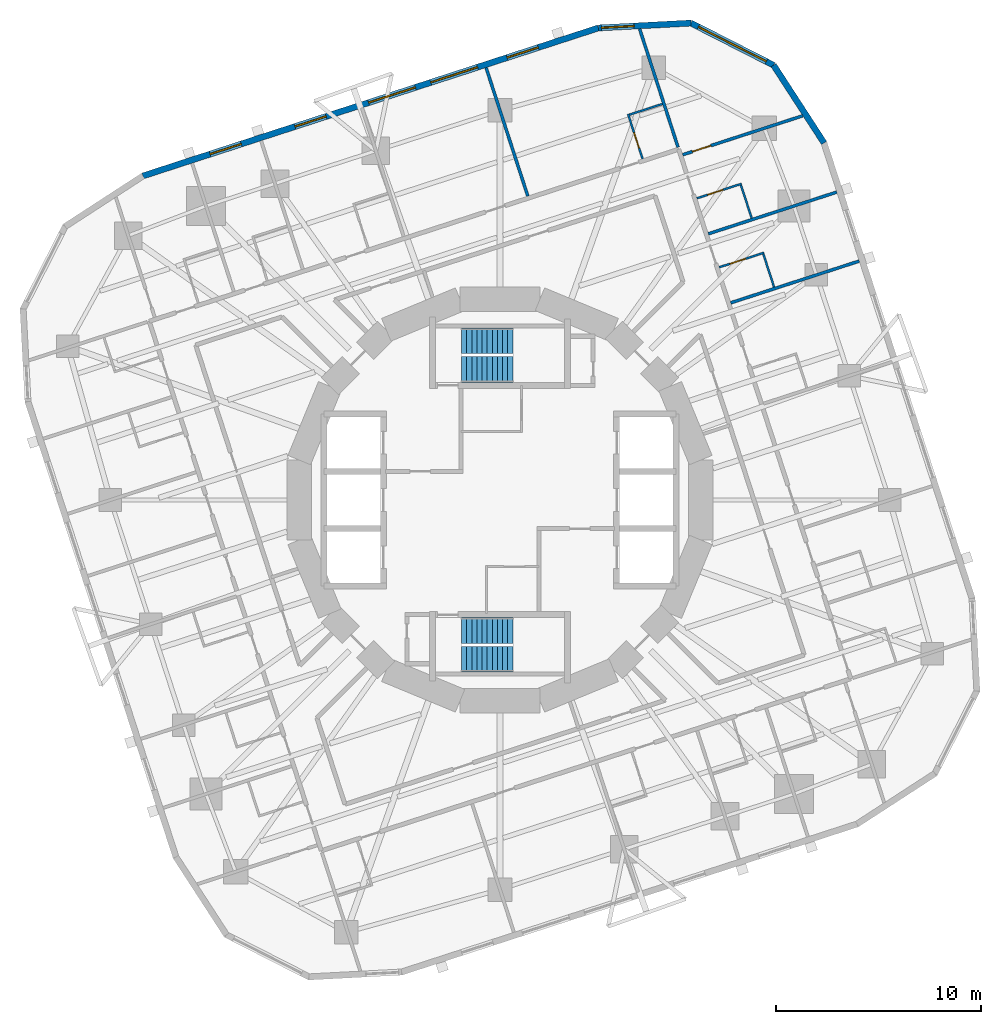
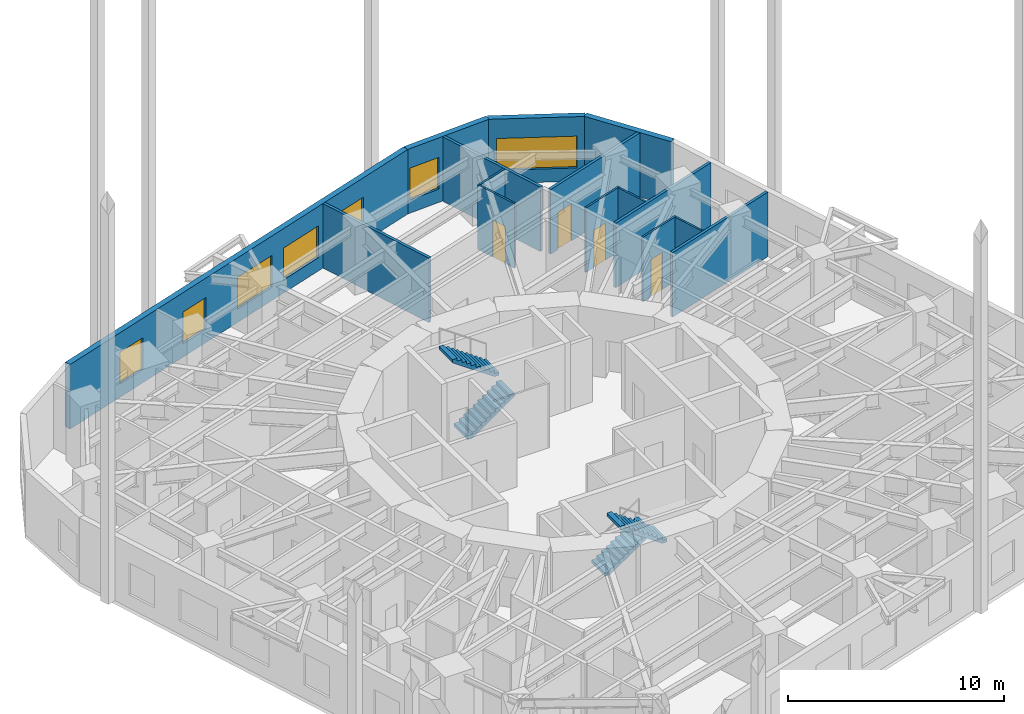
# One storey, part 9 of 10: 15 walls, 7 windows, 4 doors, 4 stair flights, 11 openings, 2 elements without a shape of their own.
"""IFC4 building model written with IfcOpenShell, lengths in metres."""

import ifcopenshell
import ifcopenshell.guid

model = None  # the IFC model being written
_history = None  # IfcOwnerHistory: only IFC2X3 demands one
_inside = {}  # id of a spatial element -> (the spatial element, [elements in it])
_under = {}  # id of a project, library or spatial element -> (it, [spatial elements below it])
_declared = {}  # id of a project -> (the project, [libraries it declares])
_typed = {}  # id of a type object -> (the type object, [elements of that type])
_made_of = {}  # id of a material, layer set ... -> (it, [elements and type objects made of it])


def new_model(schema):
    """Start an empty IFC model of exactly this schema.

    Asked for "IFC4X3", IfcOpenShell would pick the latest addendum, in which some entities
    have other attributes; the version numbers below select the first issue.
    IFC2X3 requires an IfcOwnerHistory on every rooted entity: one is made here for all.
    """
    global model, _history
    if schema == "IFC4X3":
        model = ifcopenshell.file(schema_version=(4, 3, 0, 0))
    else:
        model = ifcopenshell.file(schema=schema)
    _inside.clear()
    _under.clear()
    _declared.clear()
    _typed.clear()
    _made_of.clear()
    _history = None
    if model.schema == "IFC2X3":
        org = make("IfcOrganization", Name="unknown")
        user = make(
            "IfcPersonAndOrganization",
            ThePerson=make("IfcPerson", FamilyName="unknown"),
            TheOrganization=org,
        )
        app = make(
            "IfcApplication",
            ApplicationDeveloper=org,
            Version="unknown",
            ApplicationFullName="unknown",
            ApplicationIdentifier="unknown",
        )
        _history = make(
            "IfcOwnerHistory",
            OwningUser=user,
            OwningApplication=app,
            ChangeAction="ADDED",
            CreationDate=0,
        )
    return model


def make(cls, **values):
    """One entity of the class cls with the attributes given. An attribute that is None is left unset."""
    return model.create_entity(
        cls, **{name: value for name, value in values.items() if value is not None}
    )


def rooted(cls, **values):
    """An entity with a GlobalId (a new one), such as an element, a storey or a relation."""
    return make(cls, GlobalId=ifcopenshell.guid.new(), OwnerHistory=_history, **values)


def si_unit(unit_type, name, prefix=None):
    """IfcSIUnit, for example si_unit("LENGTHUNIT", "METRE", prefix="MILLI")."""
    return make("IfcSIUnit", UnitType=unit_type, Prefix=prefix, Name=name)


def assignment(units):
    """IfcUnitAssignment: the units of a project."""
    return None if units is None else make("IfcUnitAssignment", Units=units)


def point(xyz):
    """IfcCartesianPoint."""
    return None if xyz is None else make("IfcCartesianPoint", Coordinates=xyz)


def direction(xyz):
    """IfcDirection."""
    return None if xyz is None else make("IfcDirection", DirectionRatios=xyz)


def frame(location, z_axis=None, x_axis=None):
    """IfcAxis2Placement3D, a coordinate frame: its origin and axes. An axis left out is left unset."""
    return make(
        "IfcAxis2Placement3D",
        Location=point(location),
        Axis=direction(z_axis),
        RefDirection=direction(x_axis),
    )


def frame_2d(location, x_axis=None):
    """IfcAxis2Placement2D, a coordinate frame in the plane: its origin and x axis."""
    return make(
        "IfcAxis2Placement2D", Location=point(location), RefDirection=direction(x_axis)
    )


def origin():
    """The frame at (0, 0, 0) with its axes left unset."""
    return frame((0.0, 0.0, 0.0))


def place(relative_to, where):
    """IfcLocalPlacement: puts the frame where relative to a parent placement (None: the world)."""
    return make(
        "IfcLocalPlacement", PlacementRelTo=relative_to, RelativePlacement=where
    )


def context(
    kind, dimensions, precision=None, world=None, true_north=None, identifier=None
):
    """IfcGeometricRepresentationContext, for example the 3D "Model" context."""
    return make(
        "IfcGeometricRepresentationContext",
        ContextIdentifier=identifier,
        ContextType=kind,
        CoordinateSpaceDimension=dimensions,
        Precision=precision,
        WorldCoordinateSystem=world,
        TrueNorth=true_north,
    )


def subcontext(parent, identifier, kind, view, scale=None):
    """IfcGeometricRepresentationSubContext, for example "Body" below "Model"."""
    return make(
        "IfcGeometricRepresentationSubContext",
        ContextIdentifier=identifier,
        ContextType=kind,
        ParentContext=parent,
        TargetScale=scale,
        TargetView=view,
    )


def project(units=None, contexts=None):
    """IfcProject with its units and contexts."""
    return rooted(
        "IfcProject",
        Name="project",
        RepresentationContexts=contexts,
        UnitsInContext=assignment(units),
    )


def spatial(cls, under=None, at=None, **own):
    """A site, building, storey or space (cls), placed at a placement, below another one or the project."""
    s = rooted(cls, ObjectPlacement=at, **own)
    if under is not None:
        _under.setdefault(under.id(), (under, []))[1].append(s)
    return s


def polyline(points):
    """IfcPolyline through the points."""
    return make("IfcPolyline", Points=[point(p) for p in points])


def profile(cls, at=None, kind="AREA", **sizes):
    """A parametric profile (cls). Its sizes go by their IFC names, for example OverallWidth=200.0."""
    return make(cls, ProfileType=kind, Position=at, **sizes)


def rectangle(**sizes):
    """IfcRectangleProfileDef."""
    return profile("IfcRectangleProfileDef", **sizes)


def outline(outer, holes=None, kind="AREA"):
    """IfcArbitraryClosedProfileDef: a profile drawn as a closed curve; with holes, ...WithVoids."""
    if holes is None:
        return make("IfcArbitraryClosedProfileDef", ProfileType=kind, OuterCurve=outer)
    return make(
        "IfcArbitraryProfileDefWithVoids",
        ProfileType=kind,
        OuterCurve=outer,
        InnerCurves=holes,
    )


def extrude(swept, where, along, depth):
    """IfcExtrudedAreaSolid: the profile swept, set in the frame where, extruded along a direction by depth."""
    return make(
        "IfcExtrudedAreaSolid",
        SweptArea=swept,
        Position=where,
        ExtrudedDirection=direction(along),
        Depth=depth,
    )


def shape(context_of_items, identifier, shape_type, items):
    """IfcShapeRepresentation: the items that make up one representation, for example the "Body"."""
    return make(
        "IfcShapeRepresentation",
        ContextOfItems=context_of_items,
        RepresentationIdentifier=identifier,
        RepresentationType=shape_type,
        Items=items,
    )


def material(Name=None, Category=None):
    """IfcMaterial."""
    return make("IfcMaterial", Name=Name, Category=Category)


def layer(
    of_material, thickness, ventilated=None, Name=None, Category=None, Priority=None
):
    """IfcMaterialLayer: one layer of a wall or slab, of a material (None: an air gap)."""
    return make(
        "IfcMaterialLayer",
        Material=of_material,
        LayerThickness=thickness,
        IsVentilated=ventilated,
        Name=Name,
        Category=Category,
        Priority=Priority,
    )


def layer_set(layers, Name=None):
    """IfcMaterialLayerSet."""
    return make("IfcMaterialLayerSet", MaterialLayers=layers, LayerSetName=Name)


def made_of(thing, what):
    """Note that an element or type object is made of a material, layer set ...; save() writes the relation."""
    if what is not None:
        _made_of.setdefault(what.id(), (what, []))[1].append(thing)
    return thing


def type_object(cls, material=None, **own):
    """A type object (cls), such as IfcWallType, which elements share."""
    return made_of(rooted(cls, **own), material)


def element(
    cls,
    number,
    at=None,
    inside=None,
    cuts=None,
    type_object=None,
    material=None,
    context=None,
    identifier="Body",
    shape_type=None,
    held_by="IfcProductDefinitionShape",
    body=None,
    shapes=None,
    **own,
):
    """One element of the class cls, such as IfcWall. Its Tag is "e" and its number.

    at: its placement. inside: the storey or other place that contains it. cuts: it is an
    opening in that element (IfcRelVoidsElement). A single representation is given by context,
    identifier, shape_type and body (its items); several are given by shapes. held_by: the class
    of the entity that holds the representations. save() writes the other relations.
    """
    e = rooted(cls, Tag="e%d" % number, ObjectPlacement=at, **own)
    if body is not None:
        shapes = [shape(context, identifier, shape_type, body)]
    if shapes is not None:
        e.Representation = make(held_by, Representations=shapes)
    if inside is not None:
        _inside.setdefault(inside.id(), (inside, []))[1].append(e)
    if cuts is not None:
        rooted(
            "IfcRelVoidsElement", RelatingBuildingElement=cuts, RelatedOpeningElement=e
        )
    if type_object is not None:
        _typed.setdefault(type_object.id(), (type_object, []))[1].append(e)
    return made_of(e, material)


def fill(opening, filler):
    """IfcRelFillsElement: the door or window that sits in an opening."""
    return rooted(
        "IfcRelFillsElement",
        RelatingOpeningElement=opening,
        RelatedBuildingElement=filler,
    )


def aggregate(whole, parts):
    """IfcRelAggregates: a whole, such as a stair, and the parts it consists of."""
    return rooted("IfcRelAggregates", RelatingObject=whole, RelatedObjects=parts)


def save(model, path):
    """Write the relations noted so far, then the file.

    IfcRelAggregates (storeys below a building ...), IfcRelContainedInSpatialStructure (elements
    in a storey), IfcRelDefinesByType, IfcRelAssociatesMaterial and IfcRelDeclares: one each for
    every whole, place, type object, material and project.
    """
    for whole, parts in _under.values():
        aggregate(whole, parts)
    for where, things in _inside.values():
        rooted(
            "IfcRelContainedInSpatialStructure",
            RelatedElements=things,
            RelatingStructure=where,
        )
    for kind, things in _typed.values():
        rooted("IfcRelDefinesByType", RelatedObjects=things, RelatingType=kind)
    for what, things in _made_of.values():
        rooted("IfcRelAssociatesMaterial", RelatedObjects=things, RelatingMaterial=what)
    for by, libraries in _declared.values():
        rooted("IfcRelDeclares", RelatingContext=by, RelatedDefinitions=libraries)
    model.write(path)


model = new_model("IFC4")

# Units and contexts
model_context = context("Model", 3, precision=1e-05, world=origin(), true_north=direction((0.0, 1.0)))
body_context = subcontext(model_context, "Body", "Model", "MODEL_VIEW")
ifc_project = project(units=[si_unit("LENGTHUNIT", "METRE"), si_unit("AREAUNIT", "SQUARE_METRE"), si_unit("VOLUMEUNIT", "CUBIC_METRE"), si_unit("PLANEANGLEUNIT", "RADIAN"), si_unit("MASSUNIT", "GRAM", prefix="KILO")], contexts=[model_context])

# Site, building, storey
site_placement = place(None, origin())
site = spatial("IfcSite", under=ifc_project, at=site_placement, CompositionType="ELEMENT")
building_placement = place(site_placement, origin())
building = spatial("IfcBuilding", under=site, at=building_placement, Name="Nakasero Lantern House", CompositionType="ELEMENT")
storey_placement = place(building_placement, frame((0.0, 0.0, 141.800048828125)))
storey = spatial("IfcBuildingStorey", under=building, at=storey_placement, Name="L34", CompositionType="ELEMENT", Elevation=141.800048828125)

# Wall, opening, door
ifc_material_1 = material(Name="Blockwork", Category="masonry")
ifc_layer_1 = layer(ifc_material_1, 0.10009765625)
ifc_layer_set_1 = layer_set([ifc_layer_1], Name="En-suite wall 100")
wall_type_1 = type_object("IfcWallType", Name="En-suite wall 100", PredefinedType="PARTITIONING", material=ifc_layer_set_1)
wall_1_placement = place(storey_placement, frame((10.7109375, 11.369384765625, 0.0), z_axis=(0.0, 0.0, 1.0), x_axis=(0.951055129775, 0.309021261611, 0.0)))
wall_1 = element("IfcWall", 1, at=wall_1_placement, inside=storey, type_object=wall_type_1, Name="En-suite wall L34 ES0-05", PredefinedType="PARTITIONING", context=body_context, shape_type="SweptSolid", body=[
    extrude(rectangle(XDim=2.2998046875, YDim=0.10009765625, at=frame_2d((1.14990234375, 0.0))), origin(), (0.0, 0.0, 1.0), 3.64990234375),
])
opening_1_placement = place(wall_1_placement, frame((0.550048828125, 0.0, 0.0)))
opening_1 = element("IfcOpeningElement", 2, at=opening_1_placement, cuts=wall_1, Name="Opening D02", PredefinedType="OPENING", context=body_context, shape_type="SweptSolid", body=[
    extrude(rectangle(XDim=0.800048828125, YDim=2.10009765625, at=frame_2d((0.39990234375, 1.050048828125))), frame((0.0, 0.070068359375, 0.0), z_axis=(0.0, -1.0, 0.0), x_axis=(1.0, 0.0, 0.0)), (0.0, 0.0, 1.0), 0.14013671875),
])
ifc_material_2 = material(Name="Timber C24", Category="wood")
door_type_1 = type_object("IfcDoorType", Name="En-suite door 800", OperationType="SINGLE_SWING_RIGHT", PredefinedType="DOOR", material=ifc_material_2)
door_1_placement = place(opening_1_placement, origin())
door_1 = element("IfcDoor", 3, at=door_1_placement, inside=storey, type_object=door_type_1, Name="Door L34 DE0-05", OperationType="SINGLE_SWING_LEFT", OverallHeight=2.10009765625, OverallWidth=0.800048828125, PredefinedType="DOOR", context=body_context, shape_type="SweptSolid", body=[
    extrude(rectangle(XDim=0.800048828125, YDim=2.10009765625, at=frame_2d((0.39990234375, 1.050048828125))), frame((0.0, 0.02490234375, 0.0), z_axis=(0.0, -1.0, 0.0), x_axis=(1.0, 0.0, 0.0)), (0.0, 0.0, 1.0), 0.050048828125),
])
fill(opening_1, door_1)

# Wall
wall_2_placement = place(storey_placement, frame((13.3916015625, 10.400390625, 0.0), z_axis=(0.0, 0.0, 1.0), x_axis=(-0.309066587596, 0.951040401051, 0.0)))
element("IfcWall", 4, at=wall_2_placement, inside=storey, type_object=wall_type_1, Name="En-suite wall L34 EE0-05", PredefinedType="PARTITIONING", context=body_context, shape_type="SweptSolid", body=[
    extrude(rectangle(XDim=1.699951171875, YDim=0.10009765625, at=frame_2d((0.85009765625, 0.0))), origin(), (0.0, 0.0, 1.0), 3.64990234375),
])

# Wall, opening, door
wall_3_placement = place(storey_placement, frame((9.61572265625, 14.740234375, 0.0), z_axis=(0.0, 0.0, 1.0), x_axis=(0.951055129775, 0.309021261611, 0.0)))
wall_3 = element("IfcWall", 5, at=wall_3_placement, inside=storey, type_object=wall_type_1, Name="En-suite wall L34 ES0-06", PredefinedType="PARTITIONING", context=body_context, shape_type="SweptSolid", body=[
    extrude(rectangle(XDim=2.2998046875, YDim=0.10009765625, at=frame_2d((1.14990234375, 0.0))), origin(), (0.0, 0.0, 1.0), 3.64990234375),
])
opening_2_placement = place(wall_3_placement, frame((0.550048828125, 0.0, 0.0)))
opening_2 = element("IfcOpeningElement", 6, at=opening_2_placement, cuts=wall_3, Name="Opening D02", PredefinedType="OPENING", context=body_context, shape_type="SweptSolid", body=[
    extrude(rectangle(XDim=0.800048828125, YDim=2.10009765625, at=frame_2d((0.39990234375, 1.050048828125))), frame((0.0, 0.070068359375, 0.0), z_axis=(0.0, -1.0, 0.0), x_axis=(1.0, 0.0, 0.0)), (0.0, 0.0, 1.0), 0.14013671875),
])
door_2_placement = place(opening_2_placement, origin())
door_2 = element("IfcDoor", 7, at=door_2_placement, inside=storey, type_object=door_type_1, Name="Door L34 DE0-06", OperationType="SINGLE_SWING_LEFT", OverallHeight=2.10009765625, OverallWidth=0.800048828125, PredefinedType="DOOR", context=body_context, shape_type="SweptSolid", body=[
    extrude(rectangle(XDim=0.800048828125, YDim=2.10009765625, at=frame_2d((0.39990234375, 1.050048828125))), frame((0.0, 0.02490234375, 0.0), z_axis=(0.0, -1.0, 0.0), x_axis=(1.0, 0.0, 0.0)), (0.0, 0.0, 1.0), 0.050048828125),
])
fill(opening_2, door_2)

# Wall
wall_4_placement = place(storey_placement, frame((12.29638671875, 13.771240234375, 0.0), z_axis=(0.0, 0.0, 1.0), x_axis=(-0.309066587596, 0.951040401051, 0.0)))
element("IfcWall", 8, at=wall_4_placement, inside=storey, type_object=wall_type_1, Name="En-suite wall L34 EE0-06", PredefinedType="PARTITIONING", context=body_context, shape_type="SweptSolid", body=[
    extrude(rectangle(XDim=1.699951171875, YDim=0.10009765625, at=frame_2d((0.85009765625, 0.0))), origin(), (0.0, 0.0, 1.0), 3.64990234375),
])

# Wall, opening, door
wall_5_placement = place(storey_placement, frame((6.965087890625, 16.668212890625, 0.0), z_axis=(0.0, 0.0, 1.0), x_axis=(-0.309021261611, 0.951055129775, 0.0)))
wall_5 = element("IfcWall", 9, at=wall_5_placement, inside=storey, type_object=wall_type_1, Name="En-suite wall L34 ES1-00", PredefinedType="PARTITIONING", context=body_context, shape_type="SweptSolid", body=[
    extrude(rectangle(XDim=2.2998046875, YDim=0.10009765625, at=frame_2d((1.14990234375, 0.0))), origin(), (0.0, 0.0, 1.0), 3.64990234375),
])
opening_3_placement = place(wall_5_placement, frame((0.550048828125, 0.0, 0.0)))
opening_3 = element("IfcOpeningElement", 10, at=opening_3_placement, cuts=wall_5, Name="Opening D02", PredefinedType="OPENING", context=body_context, shape_type="SweptSolid", body=[
    extrude(rectangle(XDim=0.800048828125, YDim=2.10009765625, at=frame_2d((0.39990234375, 1.050048828125))), frame((0.0, 0.070068359375, 0.0), z_axis=(0.0, -1.0, 0.0), x_axis=(1.0, 0.0, 0.0)), (0.0, 0.0, 1.0), 0.14013671875),
])
door_3_placement = place(opening_3_placement, origin())
door_3 = element("IfcDoor", 11, at=door_3_placement, inside=storey, type_object=door_type_1, Name="Door L34 DE1-00", OperationType="SINGLE_SWING_LEFT", OverallHeight=2.10009765625, OverallWidth=0.800048828125, PredefinedType="DOOR", context=body_context, shape_type="SweptSolid", body=[
    extrude(rectangle(XDim=0.800048828125, YDim=2.10009765625, at=frame_2d((0.39990234375, 1.050048828125))), frame((0.0, 0.02490234375, 0.0), z_axis=(0.0, -1.0, 0.0), x_axis=(1.0, 0.0, 0.0)), (0.0, 0.0, 1.0), 0.050048828125),
])
fill(opening_3, door_3)

# Walls
wall_6_placement = place(storey_placement, frame((7.934326171875, 19.348876953125, 0.0), z_axis=(0.0, 0.0, 1.0), x_axis=(-0.951054116971, -0.309024378638, 0.0)))
element("IfcWall", 12, at=wall_6_placement, inside=storey, type_object=wall_type_1, Name="En-suite wall L34 EE1-00", PredefinedType="PARTITIONING", context=body_context, shape_type="SweptSolid", body=[
    extrude(rectangle(XDim=1.7001953125, YDim=0.10009765625, at=frame_2d((0.85009765625, 0.0))), origin(), (0.0, 0.0, 1.0), 3.64990234375),
])
ifc_material_3 = material(Name="Aluminium rainscreen on blockwork", Category="masonry")
ifc_layer_2 = layer(ifc_material_3, 0.300048828125)
ifc_layer_set_2 = layer_set([ifc_layer_2], Name="Facade wall 300")
wall_type_2 = type_object("IfcWallType", Name="Facade wall 300", PredefinedType="SOLIDWALL", material=ifc_layer_set_2)
wall_7_placement = place(storey_placement, frame((15.83349609375, 17.44677734375, 0.0), z_axis=(0.0, 0.0, 1.0), x_axis=(-0.544634002266, 0.838673836229, 0.0)))
element("IfcWall", 13, at=wall_7_placement, inside=storey, type_object=wall_type_2, Name="Facade wall L34 FW0C1", PredefinedType="SOLIDWALL", context=body_context, shape_type="SweptSolid", body=[
    extrude(rectangle(XDim=4.529296875, YDim=0.300048828125, at=frame_2d((2.2646484375, 0.0))), origin(), (0.0, 0.0, 1.0), 3.64990234375),
])

# Wall, opening, window
wall_8_placement = place(storey_placement, frame((13.36669921875, 21.245361328125, 0.0), z_axis=(0.0, 0.0, 1.0), x_axis=(-0.890994655705, 0.454013792196, 0.0)))
wall_8 = element("IfcWall", 14, at=wall_8_placement, inside=storey, type_object=wall_type_2, Name="Facade wall L34 FW0C2", PredefinedType="SOLIDWALL", context=body_context, shape_type="SweptSolid", body=[
    extrude(rectangle(XDim=4.529296875, YDim=0.300048828125, at=frame_2d((2.2646484375, 0.0))), origin(), (0.0, 0.0, 1.0), 3.64990234375),
])
opening_4_placement = place(wall_8_placement, frame((0.39990234375, 0.0, 0.75)))
opening_4 = element("IfcOpeningElement", 15, at=opening_4_placement, cuts=wall_8, Name="Opening W237A", PredefinedType="OPENING", context=body_context, shape_type="SweptSolid", body=[
    extrude(rectangle(XDim=3.72900390625, YDim=1.800048828125, at=frame_2d((1.864501953125, 0.89990234375))), frame((0.0, 0.169921875, 0.0), z_axis=(0.0, -1.0, 0.0), x_axis=(1.0, 0.0, 0.0)), (0.0, 0.0, 1.0), 0.340087890625),
])
ifc_material_4 = material(Name="Aluminium 6063-T6 and glass", Category="aluminium")
window_type_1 = type_object("IfcWindowType", Name="Corner window 3729x1800", PartitioningType="SINGLE_PANEL", PredefinedType="WINDOW", material=ifc_material_4)
window_1_placement = place(opening_4_placement, origin())
window_1 = element("IfcWindow", 16, at=window_1_placement, inside=storey, type_object=window_type_1, Name="Window L34 WC0", OverallHeight=1.800048828125, OverallWidth=3.72900390625, PartitioningType="SINGLE_PANEL", PredefinedType="WINDOW", context=body_context, shape_type="SweptSolid", body=[
    extrude(rectangle(XDim=3.72900390625, YDim=1.800048828125, at=frame_2d((1.864501953125, 0.89990234375))), frame((0.0, 0.030029296875, 0.0), z_axis=(0.0, -1.0, 0.0), x_axis=(1.0, 0.0, 0.0)), (0.0, 0.0, 1.0), 0.06005859375),
])
fill(opening_4, window_1)

wall_9_placement = place(storey_placement, frame((9.3310546875, 23.3017578125, 0.0), z_axis=(0.0, 0.0, 1.0), x_axis=(-0.998629419044, -0.052338164079, 0.0)))
wall_9 = element("IfcWall", 17, at=wall_9_placement, inside=storey, type_object=wall_type_2, Name="Facade wall L34 FW0C3", PredefinedType="SOLIDWALL", context=body_context, shape_type="SweptSolid", body=[
    extrude(rectangle(XDim=4.529296875, YDim=0.300048828125, at=frame_2d((2.2646484375, 0.0))), origin(), (0.0, 0.0, 1.0), 3.64990234375),
])
opening_5_placement = place(wall_9_placement, frame((2.784912109375, 0.0, 0.75)))
opening_5 = element("IfcOpeningElement", 18, at=opening_5_placement, cuts=wall_9, Name="Opening W01", PredefinedType="OPENING", context=body_context, shape_type="SweptSolid", body=[
    extrude(rectangle(XDim=1.60009765625, YDim=1.800048828125, at=frame_2d((0.800048828125, 0.89990234375))), frame((0.0, 0.169921875, 0.0), z_axis=(0.0, -1.0, 0.0), x_axis=(1.0, 0.0, 0.0)), (0.0, 0.0, 1.0), 0.340087890625),
])
ifc_material_5 = material(Name="Aluminium 6063-T6 and glass", Category="aluminium")
window_type_2 = type_object("IfcWindowType", Name="Bedroom window 1600x1800", PartitioningType="SINGLE_PANEL", PredefinedType="WINDOW", material=ifc_material_5)
window_2_placement = place(opening_5_placement, origin())
window_2 = element("IfcWindow", 19, at=window_2_placement, inside=storey, type_object=window_type_2, Name="Window L34 WN1-00", OverallHeight=1.800048828125, OverallWidth=1.60009765625, PartitioningType="SINGLE_PANEL", PredefinedType="WINDOW", context=body_context, shape_type="SweptSolid", body=[
    extrude(rectangle(XDim=1.60009765625, YDim=1.800048828125, at=frame_2d((0.800048828125, 0.89990234375))), frame((0.0, 0.030029296875, 0.0), z_axis=(0.0, -1.0, 0.0), x_axis=(1.0, 0.0, 0.0)), (0.0, 0.0, 1.0), 0.06005859375),
])
fill(opening_5, window_2)

# Wall, openings, windows
wall_10_placement = place(storey_placement, frame((4.807861328125, 23.064697265625, 0.0), z_axis=(0.0, 0.0, 1.0), x_axis=(-0.951053618334, -0.30902591324, 0.0)))
wall_10 = element("IfcWall", 20, at=wall_10_placement, inside=storey, type_object=wall_type_2, Name="Facade wall L34 FW1S", PredefinedType="SOLIDWALL", context=body_context, shape_type="SweptSolid", body=[
    extrude(rectangle(XDim=23.39990234375, YDim=0.300048828125, at=frame_2d((11.699951171875, 0.0))), origin(), (0.0, 0.0, 1.0), 3.64990234375),
])
opening_6_placement = place(wall_10_placement, frame((3.089111328125, 0.0, 0.75)))
opening_6 = element("IfcOpeningElement", 21, at=opening_6_placement, cuts=wall_10, Name="Opening W01", PredefinedType="OPENING", context=body_context, shape_type="SweptSolid", body=[
    extrude(rectangle(XDim=1.60009765625, YDim=1.800048828125, at=frame_2d((0.800048828125, 0.89990234375))), frame((0.0, 0.169921875, 0.0), z_axis=(0.0, -1.0, 0.0), x_axis=(1.0, 0.0, 0.0)), (0.0, 0.0, 1.0), 0.340087890625),
])
opening_7_placement = place(wall_10_placement, frame((13.987548828125, 0.0, 0.75)))
opening_7 = element("IfcOpeningElement", 22, at=opening_7_placement, cuts=wall_10, Name="Opening W01", PredefinedType="OPENING", context=body_context, shape_type="SweptSolid", body=[
    extrude(rectangle(XDim=1.60009765625, YDim=1.800048828125, at=frame_2d((0.800048828125, 0.89990234375))), frame((0.0, 0.169921875, 0.0), z_axis=(0.0, -1.0, 0.0), x_axis=(1.0, 0.0, 0.0)), (0.0, 0.0, 1.0), 0.340087890625),
])
opening_8_placement = place(wall_10_placement, frame((18.350341796875, 0.0, 0.75)))
opening_8 = element("IfcOpeningElement", 23, at=opening_8_placement, cuts=wall_10, Name="Opening W01", PredefinedType="OPENING", context=body_context, shape_type="SweptSolid", body=[
    extrude(rectangle(XDim=1.60009765625, YDim=1.800048828125, at=frame_2d((0.800048828125, 0.89990234375))), frame((0.0, 0.169921875, 0.0), z_axis=(0.0, -1.0, 0.0), x_axis=(1.0, 0.0, 0.0)), (0.0, 0.0, 1.0), 0.340087890625),
])
opening_9_placement = place(wall_10_placement, frame((6.21337890625, 0.0, 0.75)))
opening_9 = element("IfcOpeningElement", 24, at=opening_9_placement, cuts=wall_10, Name="Opening W03", PredefinedType="OPENING", context=body_context, shape_type="SweptSolid", body=[
    extrude(rectangle(XDim=2.39990234375, YDim=1.800048828125, at=frame_2d((1.199951171875, 0.89990234375))), frame((0.0, 0.169921875, 0.0), z_axis=(0.0, -1.0, 0.0), x_axis=(1.0, 0.0, 0.0)), (0.0, 0.0, 1.0), 0.340087890625),
])
opening_10_placement = place(wall_10_placement, frame((9.402587890625, 0.0, 0.75)))
opening_10 = element("IfcOpeningElement", 25, at=opening_10_placement, cuts=wall_10, Name="Opening W03", PredefinedType="OPENING", context=body_context, shape_type="SweptSolid", body=[
    extrude(rectangle(XDim=2.39990234375, YDim=1.800048828125, at=frame_2d((1.199951171875, 0.89990234375))), frame((0.0, 0.169921875, 0.0), z_axis=(0.0, -1.0, 0.0), x_axis=(1.0, 0.0, 0.0)), (0.0, 0.0, 1.0), 0.340087890625),
])
window_3_placement = place(opening_6_placement, origin())
window_3 = element("IfcWindow", 26, at=window_3_placement, inside=storey, type_object=window_type_2, Name="Window L34 WN1-01", OverallHeight=1.800048828125, OverallWidth=1.60009765625, PartitioningType="SINGLE_PANEL", PredefinedType="WINDOW", context=body_context, shape_type="SweptSolid", body=[
    extrude(rectangle(XDim=1.60009765625, YDim=1.800048828125, at=frame_2d((0.800048828125, 0.89990234375))), frame((0.0, 0.030029296875, 0.0), z_axis=(0.0, -1.0, 0.0), x_axis=(1.0, 0.0, 0.0)), (0.0, 0.0, 1.0), 0.06005859375),
])
fill(opening_6, window_3)
window_4_placement = place(opening_7_placement, origin())
window_4 = element("IfcWindow", 27, at=window_4_placement, inside=storey, type_object=window_type_2, Name="Window L34 WN1-04", OverallHeight=1.800048828125, OverallWidth=1.60009765625, PartitioningType="SINGLE_PANEL", PredefinedType="WINDOW", context=body_context, shape_type="SweptSolid", body=[
    extrude(rectangle(XDim=1.60009765625, YDim=1.800048828125, at=frame_2d((0.800048828125, 0.89990234375))), frame((0.0, 0.030029296875, 0.0), z_axis=(0.0, -1.0, 0.0), x_axis=(1.0, 0.0, 0.0)), (0.0, 0.0, 1.0), 0.06005859375),
])
fill(opening_7, window_4)
window_5_placement = place(opening_8_placement, origin())
window_5 = element("IfcWindow", 28, at=window_5_placement, inside=storey, type_object=window_type_2, Name="Window L34 WN1-05", OverallHeight=1.800048828125, OverallWidth=1.60009765625, PartitioningType="SINGLE_PANEL", PredefinedType="WINDOW", context=body_context, shape_type="SweptSolid", body=[
    extrude(rectangle(XDim=1.60009765625, YDim=1.800048828125, at=frame_2d((0.800048828125, 0.89990234375))), frame((0.0, 0.030029296875, 0.0), z_axis=(0.0, -1.0, 0.0), x_axis=(1.0, 0.0, 0.0)), (0.0, 0.0, 1.0), 0.06005859375),
])
fill(opening_8, window_5)
ifc_material_6 = material(Name="Aluminium 6063-T6 and glass", Category="aluminium")
window_type_3 = type_object("IfcWindowType", Name="Lounge window 2400x1800", PartitioningType="SINGLE_PANEL", PredefinedType="WINDOW", material=ifc_material_6)
window_6_placement = place(opening_9_placement, origin())
window_6 = element("IfcWindow", 29, at=window_6_placement, inside=storey, type_object=window_type_3, Name="Window L34 WK1", OverallHeight=1.800048828125, OverallWidth=2.39990234375, PartitioningType="SINGLE_PANEL", PredefinedType="WINDOW", context=body_context, shape_type="SweptSolid", body=[
    extrude(rectangle(XDim=2.39990234375, YDim=1.800048828125, at=frame_2d((1.199951171875, 0.89990234375))), frame((0.0, 0.030029296875, 0.0), z_axis=(0.0, -1.0, 0.0), x_axis=(1.0, 0.0, 0.0)), (0.0, 0.0, 1.0), 0.06005859375),
])
fill(opening_9, window_6)
window_7_placement = place(opening_10_placement, origin())
window_7 = element("IfcWindow", 30, at=window_7_placement, inside=storey, type_object=window_type_3, Name="Window L34 WL1", OverallHeight=1.800048828125, OverallWidth=2.39990234375, PartitioningType="SINGLE_PANEL", PredefinedType="WINDOW", context=body_context, shape_type="SweptSolid", body=[
    extrude(rectangle(XDim=2.39990234375, YDim=1.800048828125, at=frame_2d((1.199951171875, 0.89990234375))), frame((0.0, 0.030029296875, 0.0), z_axis=(0.0, -1.0, 0.0), x_axis=(1.0, 0.0, 0.0)), (0.0, 0.0, 1.0), 0.06005859375),
])
fill(opening_10, window_7)

# Walls
ifc_material_7 = material(Name="Blockwork", Category="masonry")
ifc_layer_3 = layer(ifc_material_7, 0.14990234375)
ifc_layer_set_3 = layer_set([ifc_layer_3], Name="Party wall 150")
wall_type_3 = type_object("IfcWallType", Name="Party wall 150", PredefinedType="PARTITIONING", material=ifc_layer_set_3)
for number, where, z_axis, x_axis, name in (
    (31, (11.27490234375, 9.6337890625, 0.0), (0.0, 0.0, 1.0), (0.951053095941, 0.309027520945, 0.0), "Party wall L34 PW0-05"),
    (32, (10.1796875, 13.004638671875, 0.0), (0.0, 0.0, 1.0), (0.951053095941, 0.309027520945, 0.0), "Party wall L34 PW0-06"),
):
    element("IfcWall", number, at=place(storey_placement, frame(where, z_axis=z_axis, x_axis=x_axis)), inside=storey, type_object=wall_type_3, Name=name, PredefinedType="PARTITIONING", context=body_context, shape_type="SweptSolid", body=[
        extrude(rectangle(XDim=6.599853515625, YDim=0.14990234375, at=frame_2d((3.2998046875, 0.0))), origin(), (0.0, 0.0, 1.0), 3.64990234375),
    ])

# Wall, opening, door
wall_11_placement = place(storey_placement, frame((8.9248046875, 16.8662109375, 0.0), z_axis=(0.0, 0.0, 1.0), x_axis=(0.951051818488, 0.309031452366, 0.0)))
wall_11 = element("IfcWall", 33, at=wall_11_placement, inside=storey, type_object=wall_type_3, Name="Party wall L34 PC0", PredefinedType="PARTITIONING", context=body_context, shape_type="SweptSolid", body=[
    extrude(rectangle(XDim=6.165283203125, YDim=0.14990234375, at=frame_2d((3.08251953125, 0.0))), origin(), (0.0, 0.0, 1.0), 3.64990234375),
])
opening_11_placement = place(wall_11_placement, frame((0.5, 0.0, 0.0)))
opening_11 = element("IfcOpeningElement", 34, at=opening_11_placement, cuts=wall_11, Name="Opening D01", PredefinedType="OPENING", context=body_context, shape_type="SweptSolid", body=[
    extrude(rectangle(XDim=0.949951171875, YDim=2.10009765625, at=frame_2d((0.47509765625, 1.050048828125))), frame((0.0, 0.094970703125, 0.0), z_axis=(0.0, -1.0, 0.0), x_axis=(1.0, 0.0, 0.0)), (0.0, 0.0, 1.0), 0.18994140625),
])
ifc_material_8 = material(Name="Timber C24", Category="wood")
door_type_2 = type_object("IfcDoorType", Name="Bedroom door FD30S 950", OperationType="SINGLE_SWING_LEFT", PredefinedType="DOOR", material=ifc_material_8)
door_4_placement = place(opening_11_placement, origin())
door_4 = element("IfcDoor", 35, at=door_4_placement, inside=storey, type_object=door_type_2, Name="Door L34 DC0", OperationType="SINGLE_SWING_LEFT", OverallHeight=2.10009765625, OverallWidth=0.949951171875, PredefinedType="DOOR", context=body_context, shape_type="SweptSolid", body=[
    extrude(rectangle(XDim=0.949951171875, YDim=2.10009765625, at=frame_2d((0.47509765625, 1.050048828125))), frame((0.0, 0.02490234375, 0.0), z_axis=(0.0, -1.0, 0.0), x_axis=(1.0, 0.0, 0.0)), (0.0, 0.0, 1.0), 0.050048828125),
])
fill(opening_11, door_4)

# Walls
wall_12_placement = place(storey_placement, frame((8.700927734375, 17.232177734375, 0.0), z_axis=(0.0, 0.0, 1.0), x_axis=(-0.309015253813, 0.951057081836, 0.0)))
element("IfcWall", 36, at=wall_12_placement, inside=storey, type_object=wall_type_3, Name="Party wall L34 PW1-00", PredefinedType="PARTITIONING", context=body_context, shape_type="SweptSolid", body=[
    extrude(rectangle(XDim=6.080322265625, YDim=0.14990234375, at=frame_2d((3.0400390625, 0.0))), origin(), (0.0, 0.0, 1.0), 3.64990234375),
])
wall_13_placement = place(storey_placement, frame((1.359619140625, 14.846923828125, 0.0), z_axis=(0.0, 0.0, 1.0), x_axis=(-0.309027520945, 0.951053095941, 0.0)))
element("IfcWall", 37, at=wall_13_placement, inside=storey, type_object=wall_type_3, Name="Party wall L34 PW1-02", PredefinedType="PARTITIONING", context=body_context, shape_type="SweptSolid", body=[
    extrude(rectangle(XDim=6.599853515625, YDim=0.14990234375, at=frame_2d((3.2998046875, 0.0))), origin(), (0.0, 0.0, 1.0), 3.64990234375),
])

# Stair, stair flights
ifc_material_9 = material(Name="Concrete C40/50", Category="concrete")
stair_type_1 = type_object("IfcStairType", Name="Escape stair ST1 22 risers", PredefinedType="HALF_TURN_STAIR", material=ifc_material_9)
stair_1_placement = place(storey_placement, origin())
stair_1 = element("IfcStair", 38, at=stair_1_placement, inside=storey, type_object=stair_type_1, Name="Escape stair ST1 L34", PredefinedType="HALF_TURN_STAIR")
ifc_material_10 = material(Name="Concrete C40/50", Category="concrete")
stair_flight_type = type_object("IfcStairFlightType", Name="Escape stair flight", PredefinedType="STRAIGHT", material=ifc_material_10)
stair_flight_1_placement = place(storey_placement, frame((-1.875, 6.375, 0.0), z_axis=(0.0, 0.0, 1.0), x_axis=(1.0, 0.0, 0.0)))
stair_flight_1 = element("IfcStairFlight", 39, at=stair_flight_1_placement, type_object=stair_flight_type, Name="ST1 flight 1", NumberOfRisers=11, NumberOfTreads=10, PredefinedType="STRAIGHT", RiserHeight=0.175, TreadLength=0.25, context=body_context, shape_type="SweptSolid", body=[
    extrude(outline(polyline([(0.0, 0.0), (0.0, 0.175048828125), (0.25, 0.175048828125), (0.25, 0.35009765625), (0.5, 0.35009765625), (0.5, 0.52490234375), (0.75, 0.52490234375), (0.75, 0.699951171875), (1.0, 0.699951171875), (1.0, 0.875), (1.25, 0.875), (1.25, 1.050048828125), (1.5, 1.050048828125), (1.5, 1.22509765625), (1.75, 1.22509765625), (1.75, 1.39990234375), (2.0, 1.39990234375), (2.0, 1.574951171875), (2.25, 1.574951171875), (2.25, 1.75), (2.5, 1.75), (2.5, 1.925048828125), (2.5, 1.567138671875), (0.261474609375, 0.0), (0.0, 0.0)])), frame((0.0, 0.625, 0.0), z_axis=(0.0, -1.0, 0.0), x_axis=(1.0, 0.0, 0.0)), (0.0, 0.0, 1.0), 1.25),
])
stair_flight_2_placement = place(storey_placement, frame((0.625, 7.77490234375, 1.925048828125), z_axis=(0.0, 0.0, 1.0), x_axis=(-1.0, 0.0, 0.0)))
stair_flight_2 = element("IfcStairFlight", 40, at=stair_flight_2_placement, type_object=stair_flight_type, Name="ST1 flight 2", NumberOfRisers=11, NumberOfTreads=10, PredefinedType="STRAIGHT", RiserHeight=0.175, TreadLength=0.25, context=body_context, shape_type="SweptSolid", body=[
    extrude(outline(polyline([(0.0, 0.0), (0.0, 0.175048828125), (0.25, 0.175048828125), (0.25, 0.35009765625), (0.5, 0.35009765625), (0.5, 0.52490234375), (0.75, 0.52490234375), (0.75, 0.699951171875), (1.0, 0.699951171875), (1.0, 0.875), (1.25, 0.875), (1.25, 1.050048828125), (1.5, 1.050048828125), (1.5, 1.22509765625), (1.75, 1.22509765625), (1.75, 1.39990234375), (2.0, 1.39990234375), (2.0, 1.574951171875), (2.25, 1.574951171875), (2.25, 1.75), (2.5, 1.75), (2.5, 1.925048828125), (2.5, 1.567138671875), (0.261474609375, 0.0), (0.0, 0.0)])), frame((0.0, 0.625, 0.0), z_axis=(0.0, -1.0, 0.0), x_axis=(1.0, 0.0, 0.0)), (0.0, 0.0, 1.0), 1.25),
])
aggregate(stair_1, [stair_flight_1, stair_flight_2])

ifc_material_11 = material(Name="Concrete C40/50", Category="concrete")
stair_type_2 = type_object("IfcStairType", Name="Escape stair ST2 22 risers", PredefinedType="HALF_TURN_STAIR", material=ifc_material_11)
stair_2_placement = place(storey_placement, origin())
stair_2 = element("IfcStair", 41, at=stair_2_placement, inside=storey, type_object=stair_type_2, Name="Escape stair ST2 L34", PredefinedType="HALF_TURN_STAIR")
stair_flight_3_placement = place(storey_placement, frame((-1.875, -6.375, 0.0), z_axis=(0.0, 0.0, 1.0), x_axis=(1.0, 0.0, 0.0)))
stair_flight_3 = element("IfcStairFlight", 42, at=stair_flight_3_placement, type_object=stair_flight_type, Name="ST2 flight 1", NumberOfRisers=11, NumberOfTreads=10, PredefinedType="STRAIGHT", RiserHeight=0.175, TreadLength=0.25, context=body_context, shape_type="SweptSolid", body=[
    extrude(outline(polyline([(0.0, 0.0), (0.0, 0.175048828125), (0.25, 0.175048828125), (0.25, 0.35009765625), (0.5, 0.35009765625), (0.5, 0.52490234375), (0.75, 0.52490234375), (0.75, 0.699951171875), (1.0, 0.699951171875), (1.0, 0.875), (1.25, 0.875), (1.25, 1.050048828125), (1.5, 1.050048828125), (1.5, 1.22509765625), (1.75, 1.22509765625), (1.75, 1.39990234375), (2.0, 1.39990234375), (2.0, 1.574951171875), (2.25, 1.574951171875), (2.25, 1.75), (2.5, 1.75), (2.5, 1.925048828125), (2.5, 1.567138671875), (0.261474609375, 0.0), (0.0, 0.0)])), frame((0.0, 0.625, 0.0), z_axis=(0.0, -1.0, 0.0), x_axis=(1.0, 0.0, 0.0)), (0.0, 0.0, 1.0), 1.25),
])
stair_flight_4_placement = place(storey_placement, frame((0.625, -7.77490234375, 1.925048828125), z_axis=(0.0, 0.0, 1.0), x_axis=(-1.0, 0.0, 0.0)))
stair_flight_4 = element("IfcStairFlight", 43, at=stair_flight_4_placement, type_object=stair_flight_type, Name="ST2 flight 2", NumberOfRisers=11, NumberOfTreads=10, PredefinedType="STRAIGHT", RiserHeight=0.175, TreadLength=0.25, context=body_context, shape_type="SweptSolid", body=[
    extrude(outline(polyline([(0.0, 0.0), (0.0, 0.175048828125), (0.25, 0.175048828125), (0.25, 0.35009765625), (0.5, 0.35009765625), (0.5, 0.52490234375), (0.75, 0.52490234375), (0.75, 0.699951171875), (1.0, 0.699951171875), (1.0, 0.875), (1.25, 0.875), (1.25, 1.050048828125), (1.5, 1.050048828125), (1.5, 1.22509765625), (1.75, 1.22509765625), (1.75, 1.39990234375), (2.0, 1.39990234375), (2.0, 1.574951171875), (2.25, 1.574951171875), (2.25, 1.75), (2.5, 1.75), (2.5, 1.925048828125), (2.5, 1.567138671875), (0.261474609375, 0.0), (0.0, 0.0)])), frame((0.0, 0.625, 0.0), z_axis=(0.0, -1.0, 0.0), x_axis=(1.0, 0.0, 0.0)), (0.0, 0.0, 1.0), 1.25),
])
aggregate(stair_2, [stair_flight_3, stair_flight_4])

save(model, "model.ifc")
